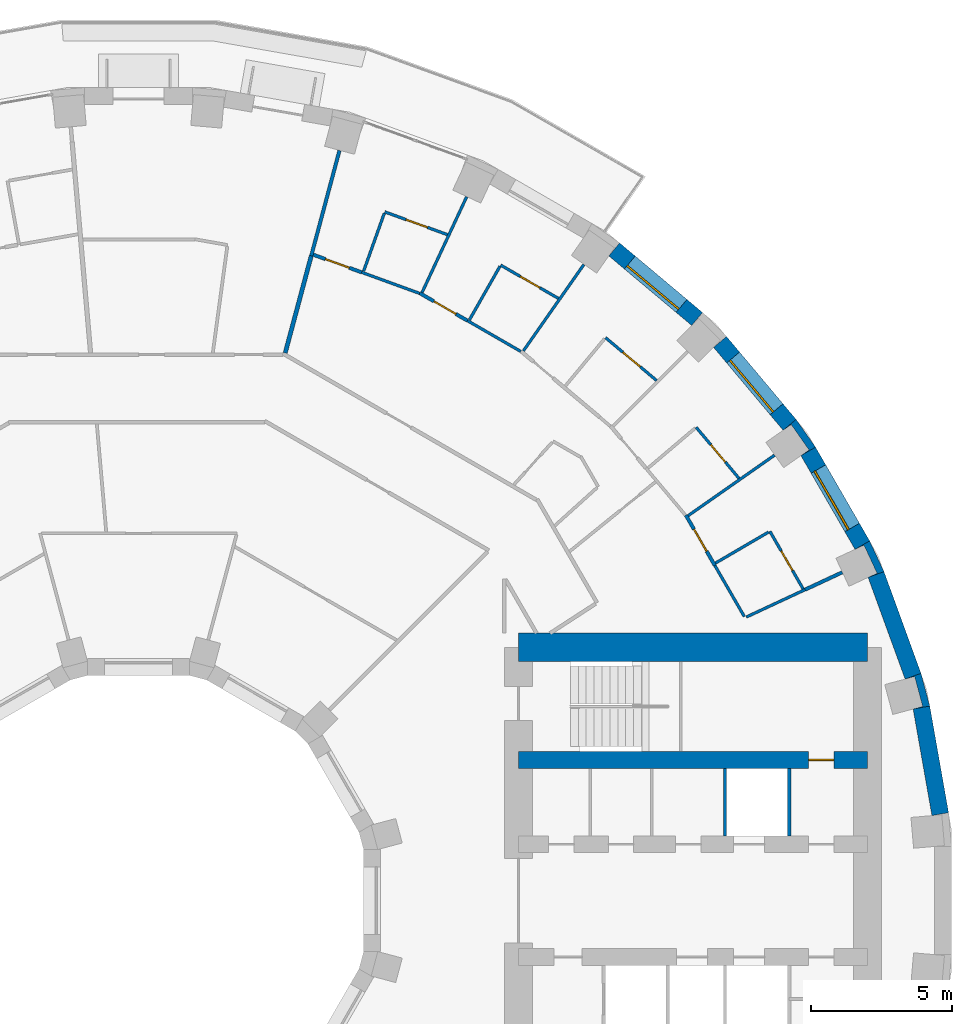
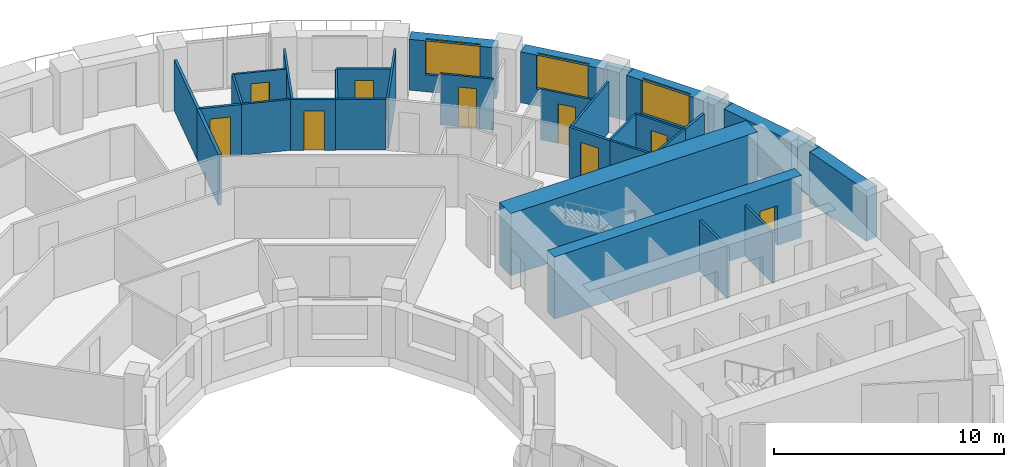
# One storey, part 13 of 15: 33 walls, 9 doors, 3 windows, 12 openings.
"""IFC4 building model written with IfcOpenShell, lengths in metres."""

from ifc_helpers import new_model, si_unit, direction, frame, frame_2d, origin, place, context, subcontext, project, spatial, polyline, rectangle, outline, extrude, material, layer, layer_set, type_object, element, fill, save


model = new_model("IFC4")

# Units and contexts
model_context = context("Model", 3, precision=1e-05, world=origin(), true_north=direction((0.0, 1.0)))
body_context = subcontext(model_context, "Body", "Model", "MODEL_VIEW")
ifc_project = project(units=[si_unit("LENGTHUNIT", "METRE"), si_unit("AREAUNIT", "SQUARE_METRE"), si_unit("VOLUMEUNIT", "CUBIC_METRE"), si_unit("PLANEANGLEUNIT", "RADIAN"), si_unit("MASSUNIT", "GRAM", prefix="KILO")], contexts=[model_context])

# Site, building, storey
site_placement = place(None, origin())
site = spatial("IfcSite", under=ifc_project, at=site_placement, CompositionType="ELEMENT")
building_placement = place(site_placement, origin())
building = spatial("IfcBuilding", under=site, at=building_placement, Name="Saqina Gate Tower", CompositionType="ELEMENT")
storey_placement = place(building_placement, frame((0.0, 0.0, 79.10009765625)))
storey = spatial("IfcBuildingStorey", under=building, at=storey_placement, Name="L22", CompositionType="ELEMENT", Elevation=79.10009765625)

# Walls
ifc_material_1 = material(Name="Brick masonry (red)", Category="masonry")
wall_type_1 = type_object("IfcWallType", Name="BRICK PIER COPING RED", PredefinedType="SOLIDWALL", material=ifc_material_1)
wall_1_placement = place(storey_placement, origin())
element("IfcWall", 1, at=wall_1_placement, inside=storey, type_object=wall_type_1, Name="Pier cap L22 column 2", PredefinedType="SOLIDWALL", context=body_context, shape_type="SweptSolid", body=[
    extrude(outline(polyline([(28.11669921875, 6.910400390625), (27.80517578125, 8.073974609375), (27.2412109375, 7.86865234375), (27.57958984375, 7.95947265625), (27.864501953125, 6.896728515625), (27.52587890625, 6.80615234375), (28.11669921875, 6.910400390625)])), origin(), (0.0, 0.0, 1.0), 2.699951171875),
])
wall_2_placement = place(storey_placement, origin())
element("IfcWall", 2, at=wall_2_placement, inside=storey, type_object=wall_type_1, Name="Pier cap L22 column 3", PredefinedType="SOLIDWALL", context=body_context, shape_type="SweptSolid", body=[
    extrude(outline(polyline([(25.980712890625, 12.779541015625), (25.4609375, 12.4794921875), (25.778564453125, 12.627685546875), (26.243408203125, 11.630615234375), (25.92578125, 11.482666015625), (26.48974609375, 11.687744140625), (25.980712890625, 12.779541015625)])), origin(), (0.0, 0.0, 1.0), 2.699951171875),
])
wall_3_placement = place(storey_placement, origin())
element("IfcWall", 3, at=wall_3_placement, inside=storey, type_object=wall_type_1, Name="Pier cap L22 column 4", PredefinedType="SOLIDWALL", context=body_context, shape_type="SweptSolid", body=[
    extrude(outline(polyline([(24.0576171875, 16.110107421875), (23.36669921875, 17.096923828125), (22.9072265625, 16.711181640625), (23.194091796875, 16.912109375), (23.8251953125, 16.010986328125), (23.5380859375, 15.81005859375), (24.0576171875, 16.110107421875)])), origin(), (0.0, 0.0, 1.0), 2.699951171875),
])

# Wall, opening, window
ifc_material_2 = material(Name="Brick masonry (red)", Category="masonry")
ifc_layer_1 = layer(ifc_material_2, 0.60009765625)
ifc_layer_set_1 = layer_set([ifc_layer_1], Name="FW-BRICK-RED")
wall_type_2 = type_object("IfcWallType", Name="FW-BRICK-RED", PredefinedType="SOLIDWALL", material=ifc_layer_set_1)
wall_4_placement = place(storey_placement, frame((25.720703125, 12.629638671875, 0.0), z_axis=(0.0, 0.0, 1.0), x_axis=(-0.499989888488, 0.86603124159, 0.0)))
wall_4 = element("IfcWall", 4, at=wall_4_placement, inside=storey, type_object=wall_type_2, Name="Facade wall L22 facet 3", PredefinedType="SOLIDWALL", context=body_context, shape_type="SweptSolid", body=[
    extrude(rectangle(XDim=3.845703125, YDim=0.60009765625, at=frame_2d((1.9228515625, 0.0))), origin(), (0.0, 0.0, 1.0), 2.699951171875),
])
opening_1_placement = place(wall_4_placement, frame((0.722900390625, 0.0, 0.89990234375)))
opening_1 = element("IfcOpeningElement", 5, at=opening_1_placement, cuts=wall_4, Name="Opening G06-W01", PredefinedType="OPENING", context=body_context, shape_type="SweptSolid", body=[
    extrude(rectangle(XDim=2.39990234375, YDim=1.800048828125, at=frame_2d((1.199951171875, 0.89990234375))), frame((0.0, 0.31201171875, 0.0), z_axis=(0.0, -1.0, 0.0), x_axis=(1.0, 0.0, 0.0)), (0.0, 0.0, 1.0), 0.6240234375),
])
ifc_material_3 = material(Name="Aluminium glazing", Category="aluminium")
window_type = type_object("IfcWindowType", Name="WN-A", PartitioningType="SINGLE_PANEL", PredefinedType="WINDOW", material=ifc_material_3)
window_1_placement = place(opening_1_placement, origin())
window_1 = element("IfcWindow", 6, at=window_1_placement, inside=storey, type_object=window_type, Name="Window L22 facet 3", OverallHeight=1.800048828125, OverallWidth=2.39990234375, PartitioningType="SINGLE_PANEL", PredefinedType="WINDOW", context=body_context, shape_type="SweptSolid", body=[
    extrude(rectangle(XDim=2.39990234375, YDim=1.800048828125, at=frame_2d((1.199951171875, 0.89990234375))), frame((0.0, 0.179931640625, 0.0), z_axis=(0.0, -1.0, 0.0), x_axis=(1.0, 0.0, 0.0)), (0.0, 0.0, 1.0), 0.06005859375),
])
fill(opening_1, window_1)

wall_5_placement = place(storey_placement, frame((23.136962890625, 16.904052734375, 0.0), z_axis=(0.0, 0.0, 1.0), x_axis=(-0.642809392687, 0.766026164483, 0.0)))
wall_5 = element("IfcWall", 7, at=wall_5_placement, inside=storey, type_object=wall_type_2, Name="Facade wall L22 facet 4", PredefinedType="SOLIDWALL", context=body_context, shape_type="SweptSolid", body=[
    extrude(rectangle(XDim=3.845947265625, YDim=0.60009765625, at=frame_2d((1.9228515625, 0.0))), origin(), (0.0, 0.0, 1.0), 2.699951171875),
])
opening_2_placement = place(wall_5_placement, frame((0.722900390625, 0.0, 0.89990234375)))
opening_2 = element("IfcOpeningElement", 8, at=opening_2_placement, cuts=wall_5, Name="Opening G06-W02", PredefinedType="OPENING", context=body_context, shape_type="SweptSolid", body=[
    extrude(rectangle(XDim=2.39990234375, YDim=1.800048828125, at=frame_2d((1.199951171875, 0.89990234375))), frame((0.0, 0.31201171875, 0.0), z_axis=(0.0, -1.0, 0.0), x_axis=(1.0, 0.0, 0.0)), (0.0, 0.0, 1.0), 0.6240234375),
])
window_2_placement = place(opening_2_placement, origin())
window_2 = element("IfcWindow", 9, at=window_2_placement, inside=storey, type_object=window_type, Name="Window L22 facet 4", OverallHeight=1.800048828125, OverallWidth=2.39990234375, PartitioningType="SINGLE_PANEL", PredefinedType="WINDOW", context=body_context, shape_type="SweptSolid", body=[
    extrude(rectangle(XDim=2.39990234375, YDim=1.800048828125, at=frame_2d((1.199951171875, 0.89990234375))), frame((0.0, 0.179931640625, 0.0), z_axis=(0.0, -1.0, 0.0), x_axis=(1.0, 0.0, 0.0)), (0.0, 0.0, 1.0), 0.06005859375),
])
fill(opening_2, window_2)

wall_6_placement = place(storey_placement, frame((19.85009765625, 20.664794921875, 0.0), z_axis=(0.0, 0.0, 1.0), x_axis=(-0.766026164483, 0.642809392687, 0.0)))
wall_6 = element("IfcWall", 10, at=wall_6_placement, inside=storey, type_object=wall_type_2, Name="Facade wall L22 facet 5", PredefinedType="SOLIDWALL", context=body_context, shape_type="SweptSolid", body=[
    extrude(rectangle(XDim=3.845947265625, YDim=0.60009765625, at=frame_2d((1.9228515625, 0.0))), origin(), (0.0, 0.0, 1.0), 2.699951171875),
])
opening_3_placement = place(wall_6_placement, frame((0.722900390625, 0.0, 0.89990234375)))
opening_3 = element("IfcOpeningElement", 11, at=opening_3_placement, cuts=wall_6, Name="Opening G06-W03", PredefinedType="OPENING", context=body_context, shape_type="SweptSolid", body=[
    extrude(rectangle(XDim=2.39990234375, YDim=1.800048828125, at=frame_2d((1.199951171875, 0.89990234375))), frame((0.0, 0.31201171875, 0.0), z_axis=(0.0, -1.0, 0.0), x_axis=(1.0, 0.0, 0.0)), (0.0, 0.0, 1.0), 0.6240234375),
])
window_3_placement = place(opening_3_placement, origin())
window_3 = element("IfcWindow", 12, at=window_3_placement, inside=storey, type_object=window_type, Name="Window L22 facet 5", OverallHeight=1.800048828125, OverallWidth=2.39990234375, PartitioningType="SINGLE_PANEL", PredefinedType="WINDOW", context=body_context, shape_type="SweptSolid", body=[
    extrude(rectangle(XDim=2.39990234375, YDim=1.800048828125, at=frame_2d((1.199951171875, 0.89990234375))), frame((0.0, 0.179931640625, 0.0), z_axis=(0.0, -1.0, 0.0), x_axis=(1.0, 0.0, 0.0)), (0.0, 0.0, 1.0), 0.06005859375),
])
fill(opening_3, window_3)

# Walls
ifc_material_4 = material(Name="Glazed ceramic tile", Category="ceramic")
ifc_layer_2 = layer(ifc_material_4, 0.60009765625)
ifc_layer_set_2 = layer_set([ifc_layer_2], Name="FW-TILE")
wall_type_3 = type_object("IfcWallType", Name="FW-TILE", PredefinedType="SOLIDWALL", material=ifc_layer_set_2)
wall_7_placement = place(storey_placement, frame((28.4892578125, 3.07080078125, 0.0), z_axis=(0.0, 0.0, 1.0), x_axis=(-0.173687553279, 0.984800809218, 0.0)))
element("IfcWall", 13, at=wall_7_placement, inside=storey, type_object=wall_type_3, Name="Facade wall L22 facet 1", PredefinedType="SOLIDWALL", context=body_context, shape_type="SweptSolid", body=[
    extrude(rectangle(XDim=3.845703125, YDim=0.60009765625, at=frame_2d((1.9228515625, 0.0))), origin(), (0.0, 0.0, 1.0), 2.699951171875),
])
ifc_material_5 = material(Name="Glazed ceramic tile (white)", Category="ceramic")
ifc_layer_3 = layer(ifc_material_5, 0.60009765625)
ifc_layer_set_3 = layer_set([ifc_layer_3], Name="FW-TILE-WH")
wall_type_4 = type_object("IfcWallType", Name="FW-TILE-WH", PredefinedType="SOLIDWALL", material=ifc_layer_set_3)
wall_8_placement = place(storey_placement, frame((27.523193359375, 7.97119140625, 0.0), z_axis=(0.0, 0.0, 1.0), x_axis=(-0.342028474173, 0.939689588564, 0.0)))
element("IfcWall", 14, at=wall_8_placement, inside=storey, type_object=wall_type_4, Name="Facade wall L22 facet 2", PredefinedType="SOLIDWALL", context=body_context, shape_type="SweptSolid", body=[
    extrude(rectangle(XDim=3.845947265625, YDim=0.60009765625, at=frame_2d((1.9228515625, 0.0))), origin(), (0.0, 0.0, 1.0), 2.699951171875),
])
ifc_material_6 = material(Name="Gypsum board on steel studs, 100 mm", Category="steel")
ifc_layer_4 = layer(ifc_material_6, 0.10009765625)
ifc_layer_set_4 = layer_set([ifc_layer_4], Name="PARTITION 100")
wall_type_5 = type_object("IfcWallType", Name="PARTITION 100", PredefinedType="PARTITIONING", material=ifc_layer_set_4)
wall_9_placement = place(storey_placement, frame((20.480224609375, 11.90576171875, 0.0), z_axis=(0.0, 0.0, 1.0), x_axis=(0.500153222552, -0.865936922628, 0.0)))
element("IfcWall", 15, at=wall_9_placement, inside=storey, type_object=wall_type_5, Name="PARTITION PW3-23", PredefinedType="PARTITIONING", context=body_context, shape_type="SweptSolid", body=[
    extrude(rectangle(XDim=2.093017578125, YDim=0.10009765625, at=frame_2d((1.04638671875, 0.0))), origin(), (0.0, 0.0, 1.0), 2.699951171875),
])

# Wall, opening, door
wall_10_placement = place(storey_placement, frame((22.43505859375, 13.12109375, 0.0), z_axis=(0.0, 0.0, 1.0), x_axis=(0.500121220083, -0.865955406025, 0.0)))
wall_10 = element("IfcWall", 16, at=wall_10_placement, inside=storey, type_object=wall_type_5, Name="PARTITION PW3-24", PredefinedType="PARTITIONING", context=body_context, shape_type="SweptSolid", body=[
    extrude(rectangle(XDim=2.3671875, YDim=0.10009765625, at=frame_2d((1.18359375, 0.0))), origin(), (0.0, 0.0, 1.0), 2.699951171875),
])
opening_4_placement = place(wall_10_placement, frame((0.809814453125, 0.0, 0.0)))
opening_4 = element("IfcOpeningElement", 17, at=opening_4_placement, cuts=wall_10, Name="Opening G06-D01", PredefinedType="OPENING", context=body_context, shape_type="SweptSolid", body=[
    extrude(rectangle(XDim=0.800048828125, YDim=2.10009765625, at=frame_2d((0.39990234375, 1.050048828125))), frame((0.0, 0.06201171875, 0.0), z_axis=(0.0, -1.0, 0.0), x_axis=(1.0, 0.0, 0.0)), (0.0, 0.0, 1.0), 0.1240234375),
])
ifc_material_7 = material(Name="Timber door leaf, 800 mm", Category="wood")
door_type_1 = type_object("IfcDoorType", Name="DOOR 800 TIMBER", OperationType="SINGLE_SWING_LEFT", PredefinedType="DOOR", material=ifc_material_7)
door_1_placement = place(opening_4_placement, origin())
door_1 = element("IfcDoor", 18, at=door_1_placement, inside=storey, type_object=door_type_1, Name="DOOR G06-D01", OperationType="SINGLE_SWING_RIGHT", OverallHeight=2.10009765625, OverallWidth=0.800048828125, PredefinedType="DOOR", context=body_context, shape_type="SweptSolid", body=[
    extrude(rectangle(XDim=0.800048828125, YDim=2.10009765625, at=frame_2d((0.39990234375, 1.050048828125))), frame((0.0, 0.02490234375, 0.0), z_axis=(0.0, -1.0, 0.0), x_axis=(1.0, 0.0, 0.0)), (0.0, 0.0, 1.0), 0.050048828125),
])
fill(opening_4, door_1)

wall_11_placement = place(storey_placement, frame((19.81591796875, 16.81689453125, 0.0), z_axis=(0.0, 0.0, 1.0), x_axis=(0.642846415365, -0.765995095449, 0.0)))
wall_11 = element("IfcWall", 19, at=wall_11_placement, inside=storey, type_object=wall_type_5, Name="PARTITION PW3-32", PredefinedType="PARTITIONING", context=body_context, shape_type="SweptSolid", body=[
    extrude(rectangle(XDim=2.369140625, YDim=0.10009765625, at=frame_2d((1.1845703125, 0.0))), origin(), (0.0, 0.0, 1.0), 2.699951171875),
])
opening_5_placement = place(wall_11_placement, frame((0.8095703125, 0.0, 0.0)))
opening_5 = element("IfcOpeningElement", 20, at=opening_5_placement, cuts=wall_11, Name="Opening G06-D03", PredefinedType="OPENING", context=body_context, shape_type="SweptSolid", body=[
    extrude(rectangle(XDim=0.800048828125, YDim=2.10009765625, at=frame_2d((0.39990234375, 1.050048828125))), frame((0.0, 0.06201171875, 0.0), z_axis=(0.0, -1.0, 0.0), x_axis=(1.0, 0.0, 0.0)), (0.0, 0.0, 1.0), 0.1240234375),
])
door_2_placement = place(opening_5_placement, origin())
door_2 = element("IfcDoor", 21, at=door_2_placement, inside=storey, type_object=door_type_1, Name="DOOR G06-D03", OperationType="SINGLE_SWING_RIGHT", OverallHeight=2.10009765625, OverallWidth=0.800048828125, PredefinedType="DOOR", context=body_context, shape_type="SweptSolid", body=[
    extrude(rectangle(XDim=0.800048828125, YDim=2.10009765625, at=frame_2d((0.39990234375, 1.050048828125))), frame((0.0, 0.02490234375, 0.0), z_axis=(0.0, -1.0, 0.0), x_axis=(1.0, 0.0, 0.0)), (0.0, 0.0, 1.0), 0.050048828125),
])
fill(opening_5, door_2)

wall_12_placement = place(storey_placement, frame((16.593994140625, 20.0029296875, 0.0), z_axis=(0.0, 0.0, 1.0), x_axis=(0.766216087927, -0.642582995886, 0.0)))
wall_12 = element("IfcWall", 22, at=wall_12_placement, inside=storey, type_object=wall_type_5, Name="PARTITION PW3-37", PredefinedType="PARTITIONING", context=body_context, shape_type="SweptSolid", body=[
    extrude(rectangle(XDim=2.36962890625, YDim=0.10009765625, at=frame_2d((1.184814453125, 0.0))), origin(), (0.0, 0.0, 1.0), 2.699951171875),
])
opening_6_placement = place(wall_12_placement, frame((0.809814453125, 0.0, 0.0)))
opening_6 = element("IfcOpeningElement", 23, at=opening_6_placement, cuts=wall_12, Name="Opening G06-D06", PredefinedType="OPENING", context=body_context, shape_type="SweptSolid", body=[
    extrude(rectangle(XDim=0.800048828125, YDim=2.10009765625, at=frame_2d((0.39990234375, 1.050048828125))), frame((0.0, 0.06201171875, 0.0), z_axis=(0.0, -1.0, 0.0), x_axis=(1.0, 0.0, 0.0)), (0.0, 0.0, 1.0), 0.1240234375),
])
door_3_placement = place(opening_6_placement, origin())
door_3 = element("IfcDoor", 24, at=door_3_placement, inside=storey, type_object=door_type_1, Name="DOOR G06-D06", OperationType="SINGLE_SWING_RIGHT", OverallHeight=2.10009765625, OverallWidth=0.800048828125, PredefinedType="DOOR", context=body_context, shape_type="SweptSolid", body=[
    extrude(rectangle(XDim=0.800048828125, YDim=2.10009765625, at=frame_2d((0.39990234375, 1.050048828125))), frame((0.0, 0.02490234375, 0.0), z_axis=(0.0, -1.0, 0.0), x_axis=(1.0, 0.0, 0.0)), (0.0, 0.0, 1.0), 0.050048828125),
])
fill(opening_6, door_3)

# Wall
wall_13_placement = place(storey_placement, frame((11.686767578125, 20.60693359375, 0.0), z_axis=(0.0, 0.0, 1.0), x_axis=(0.866180024749, -0.499732092952, 0.0)))
element("IfcWall", 25, at=wall_13_placement, inside=storey, type_object=wall_type_5, Name="PARTITION PW3-45", PredefinedType="PARTITIONING", context=body_context, shape_type="SweptSolid", body=[
    extrude(rectangle(XDim=2.192626953125, YDim=0.10009765625, at=frame_2d((1.09619140625, 0.0))), origin(), (0.0, 0.0, 1.0), 2.699951171875),
])

# Wall, opening, door
wall_14_placement = place(storey_placement, frame((12.868896484375, 22.580078125, 0.0), z_axis=(0.0, 0.0, 1.0), x_axis=(0.866116947413, -0.499841408252, 0.0)))
wall_14 = element("IfcWall", 26, at=wall_14_placement, inside=storey, type_object=wall_type_5, Name="PARTITION PW3-46", PredefinedType="PARTITIONING", context=body_context, shape_type="SweptSolid", body=[
    extrude(rectangle(XDim=2.368896484375, YDim=0.10009765625, at=frame_2d((1.1845703125, 0.0))), origin(), (0.0, 0.0, 1.0), 2.699951171875),
])
opening_7_placement = place(wall_14_placement, frame((0.809326171875, 0.0, 0.0)))
opening_7 = element("IfcOpeningElement", 27, at=opening_7_placement, cuts=wall_14, Name="Opening G06-D09", PredefinedType="OPENING", context=body_context, shape_type="SweptSolid", body=[
    extrude(rectangle(XDim=0.800048828125, YDim=2.10009765625, at=frame_2d((0.39990234375, 1.050048828125))), frame((0.0, 0.06201171875, 0.0), z_axis=(0.0, -1.0, 0.0), x_axis=(1.0, 0.0, 0.0)), (0.0, 0.0, 1.0), 0.1240234375),
])
door_4_placement = place(opening_7_placement, origin())
door_4 = element("IfcDoor", 28, at=door_4_placement, inside=storey, type_object=door_type_1, Name="DOOR G06-D09", OperationType="SINGLE_SWING_RIGHT", OverallHeight=2.10009765625, OverallWidth=0.800048828125, PredefinedType="DOOR", context=body_context, shape_type="SweptSolid", body=[
    extrude(rectangle(XDim=0.800048828125, YDim=2.10009765625, at=frame_2d((0.39990234375, 1.050048828125))), frame((0.0, 0.02490234375, 0.0), z_axis=(0.0, -1.0, 0.0), x_axis=(1.0, 0.0, 0.0)), (0.0, 0.0, 1.0), 0.050048828125),
])
fill(opening_7, door_4)

# Wall
wall_15_placement = place(storey_placement, frame((7.930908203125, 22.322998046875, 0.0), z_axis=(0.0, 0.0, 1.0), x_axis=(0.939747896663, -0.3418682359, 0.0)))
element("IfcWall", 29, at=wall_15_placement, inside=storey, type_object=wall_type_5, Name="PARTITION PW3-51", PredefinedType="PARTITIONING", context=body_context, shape_type="SweptSolid", body=[
    extrude(rectangle(XDim=2.1923828125, YDim=0.10009765625, at=frame_2d((1.09619140625, 0.0))), origin(), (0.0, 0.0, 1.0), 2.699951171875),
])

# Wall, opening, door
wall_16_placement = place(storey_placement, frame((8.751953125, 24.471923828125, 0.0), z_axis=(0.0, 0.0, 1.0), x_axis=(0.939784398176, -0.341767881674, 0.0)))
wall_16 = element("IfcWall", 30, at=wall_16_placement, inside=storey, type_object=wall_type_5, Name="PARTITION PW3-52", PredefinedType="PARTITIONING", context=body_context, shape_type="SweptSolid", body=[
    extrude(rectangle(XDim=2.369384765625, YDim=0.10009765625, at=frame_2d((1.1845703125, 0.0))), origin(), (0.0, 0.0, 1.0), 2.699951171875),
])
opening_8_placement = place(wall_16_placement, frame((0.809814453125, 0.0, 0.0)))
opening_8 = element("IfcOpeningElement", 31, at=opening_8_placement, cuts=wall_16, Name="Opening G06-D14", PredefinedType="OPENING", context=body_context, shape_type="SweptSolid", body=[
    extrude(rectangle(XDim=0.800048828125, YDim=2.10009765625, at=frame_2d((0.39990234375, 1.050048828125))), frame((0.0, 0.06201171875, 0.0), z_axis=(0.0, -1.0, 0.0), x_axis=(1.0, 0.0, 0.0)), (0.0, 0.0, 1.0), 0.1240234375),
])
door_5_placement = place(opening_8_placement, origin())
door_5 = element("IfcDoor", 32, at=door_5_placement, inside=storey, type_object=door_type_1, Name="DOOR G06-D14", OperationType="SINGLE_SWING_RIGHT", OverallHeight=2.10009765625, OverallWidth=0.800048828125, PredefinedType="DOOR", context=body_context, shape_type="SweptSolid", body=[
    extrude(rectangle(XDim=0.800048828125, YDim=2.10009765625, at=frame_2d((0.39990234375, 1.050048828125))), frame((0.0, 0.02490234375, 0.0), z_axis=(0.0, -1.0, 0.0), x_axis=(1.0, 0.0, 0.0)), (0.0, 0.0, 1.0), 0.050048828125),
])
fill(opening_8, door_5)

# Walls
wall_17_placement = place(storey_placement, frame((21.596435546875, 10.0732421875, 0.0), z_axis=(0.0, 0.0, 1.0), x_axis=(0.906315450742, 0.422601826483, 0.0)))
element("IfcWall", 33, at=wall_17_placement, inside=storey, type_object=wall_type_5, Name="PARTITION PW3-72", PredefinedType="PARTITIONING", context=body_context, shape_type="SweptSolid", body=[
    extrude(rectangle(XDim=2.30908203125, YDim=0.10009765625, at=frame_2d((1.154541015625, 0.0))), origin(), (0.0, 0.0, 1.0), 2.699951171875),
])
wall_18_placement = place(storey_placement, frame((20.5029296875, 11.991455078125, 0.0), z_axis=(0.0, 0.0, 1.0), x_axis=(0.863305021383, 0.504682514116, 0.0)))
element("IfcWall", 34, at=wall_18_placement, inside=storey, type_object=wall_type_5, Name="PARTITION PW3-83", PredefinedType="PARTITIONING", context=body_context, shape_type="SweptSolid", body=[
    extrude(rectangle(XDim=2.18798828125, YDim=0.10009765625, at=frame_2d((1.093994140625, 0.0))), origin(), (0.0, 0.0, 1.0), 2.699951171875),
])
for number, where, z_axis, x_axis, name in (
    (35, (19.53125, 13.67578125, 0.0), (0.0, 0.0, 1.0), (0.819152325028, 0.573576035414, 0.0), "PARTITION PW3-85"),
    (36, (13.67578125, 19.53125, 0.0), (0.0, 0.0, 1.0), (0.573576035414, 0.819152325028, 0.0), "PARTITION PW3-102"),
):
    element("IfcWall", number, at=place(storey_placement, frame(where, z_axis=z_axis, x_axis=x_axis)), inside=storey, type_object=wall_type_5, Name=name, PredefinedType="PARTITIONING", context=body_context, shape_type="SweptSolid", body=[
        extrude(rectangle(XDim=3.7470703125, YDim=0.10009765625, at=frame_2d((1.87353515625, 0.0))), origin(), (0.0, 0.0, 1.0), 2.699951171875),
    ])
wall_19_placement = place(storey_placement, frame((11.760986328125, 20.63623046875, 0.0), z_axis=(0.0, 0.0, 1.0), x_axis=(0.495213152806, 0.868771508101, 0.0)))
element("IfcWall", 37, at=wall_19_placement, inside=storey, type_object=wall_type_5, Name="PARTITION PW3-105", PredefinedType="PARTITIONING", context=body_context, shape_type="SweptSolid", body=[
    extrude(rectangle(XDim=2.1875, YDim=0.10009765625, at=frame_2d((1.09375, 0.0))), origin(), (0.0, 0.0, 1.0), 2.699951171875),
])
wall_20_placement = place(storey_placement, frame((10.0771484375, 21.6083984375, 0.0), z_axis=(0.0, 0.0, 1.0), x_axis=(0.422311144858, 0.906450934651, 0.0)))
element("IfcWall", 38, at=wall_20_placement, inside=storey, type_object=wall_type_5, Name="PARTITION PW3-106", PredefinedType="PARTITIONING", context=body_context, shape_type="SweptSolid", body=[
    extrude(rectangle(XDim=3.747314453125, YDim=0.10009765625, at=frame_2d((1.87353515625, 0.0))), origin(), (0.0, 0.0, 1.0), 2.699951171875),
])
wall_21_placement = place(storey_placement, frame((7.9990234375, 22.36474609375, 0.0), z_axis=(0.0, 0.0, 1.0), x_axis=(0.336477788464, 0.941691402674, 0.0)))
element("IfcWall", 39, at=wall_21_placement, inside=storey, type_object=wall_type_5, Name="PARTITION PW3-109", PredefinedType="PARTITIONING", context=body_context, shape_type="SweptSolid", body=[
    extrude(rectangle(XDim=2.1875, YDim=0.10009765625, at=frame_2d((1.09375, 0.0))), origin(), (0.0, 0.0, 1.0), 2.699951171875),
])

# Wall, opening, door
ifc_material_8 = material(Name="Gypsum board on steel studs, 125 mm, fire rated", Category="steel")
ifc_layer_5 = layer(ifc_material_8, 0.125)
ifc_layer_set_5 = layer_set([ifc_layer_5], Name="PARTITION EI 30 125")
wall_type_6 = type_object("IfcWallType", Name="PARTITION EI 30 125", PredefinedType="PARTITIONING", material=ifc_layer_set_5)
wall_22_placement = place(storey_placement, frame((19.44921875, 13.69580078125, 0.0), z_axis=(0.0, 0.0, 1.0), x_axis=(0.499101616471, -0.866543464828, 0.0)))
wall_22 = element("IfcWall", 40, at=wall_22_placement, inside=storey, type_object=wall_type_6, Name="PARTITION PW1-04", PredefinedType="PARTITIONING", context=body_context, shape_type="SweptSolid", body=[
    extrude(rectangle(XDim=2.065673828125, YDim=0.125, at=frame_2d((1.03271484375, 0.0))), origin(), (0.0, 0.0, 1.0), 2.699951171875),
])
opening_9_placement = place(wall_22_placement, frame((0.58349609375, 0.0, 0.0)))
opening_9 = element("IfcOpeningElement", 41, at=opening_9_placement, cuts=wall_22, Name="Opening G06-D02", PredefinedType="OPENING", context=body_context, shape_type="SweptSolid", body=[
    extrude(rectangle(XDim=0.89990234375, YDim=2.10009765625, at=frame_2d((0.449951171875, 1.050048828125))), frame((0.0, 0.074462890625, 0.0), z_axis=(0.0, -1.0, 0.0), x_axis=(1.0, 0.0, 0.0)), (0.0, 0.0, 1.0), 0.14892578125),
])
ifc_material_9 = material(Name="Fire door leaf EI 30, 900 mm")
door_type_2 = type_object("IfcDoorType", Name="DOOR 900 EI 30", OperationType="SINGLE_SWING_LEFT", PredefinedType="DOOR", material=ifc_material_9)
door_6_placement = place(opening_9_placement, frame((0.89990234375, 0.0, 0.0), z_axis=(0.0, 0.0, 1.0), x_axis=(-1.0, 0.0, 0.0)))
door_6 = element("IfcDoor", 42, at=door_6_placement, inside=storey, type_object=door_type_2, Name="DOOR G06-D02", OperationType="SINGLE_SWING_RIGHT", OverallHeight=2.10009765625, OverallWidth=0.89990234375, PredefinedType="DOOR", context=body_context, shape_type="SweptSolid", body=[
    extrude(rectangle(XDim=0.89990234375, YDim=2.10009765625, at=frame_2d((0.449951171875, 1.050048828125))), frame((0.0, 0.02490234375, 0.0), z_axis=(0.0, -1.0, 0.0), x_axis=(1.0, 0.0, 0.0)), (0.0, 0.0, 1.0), 0.050048828125),
])
fill(opening_9, door_6)

wall_23_placement = place(storey_placement, frame((9.9951171875, 21.583740234375, 0.0), z_axis=(0.0, 0.0, 1.0), x_axis=(0.865996179119, -0.50005061519, 0.0)))
wall_23 = element("IfcWall", 43, at=wall_23_placement, inside=storey, type_object=wall_type_6, Name="PARTITION PW1-26", PredefinedType="PARTITIONING", context=body_context, shape_type="SweptSolid", body=[
    extrude(rectangle(XDim=1.953369140625, YDim=0.125, at=frame_2d((0.9765625, 0.0))), origin(), (0.0, 0.0, 1.0), 2.699951171875),
])
opening_10_placement = place(wall_23_placement, frame((0.58349609375, 0.0, 0.0)))
opening_10 = element("IfcOpeningElement", 44, at=opening_10_placement, cuts=wall_23, Name="Opening G06-D13", PredefinedType="OPENING", context=body_context, shape_type="SweptSolid", body=[
    extrude(rectangle(XDim=0.89990234375, YDim=2.10009765625, at=frame_2d((0.449951171875, 1.050048828125))), frame((0.0, 0.074462890625, 0.0), z_axis=(0.0, -1.0, 0.0), x_axis=(1.0, 0.0, 0.0)), (0.0, 0.0, 1.0), 0.14892578125),
])
door_7_placement = place(opening_10_placement, frame((0.89990234375, 0.0, 0.0), z_axis=(0.0, 0.0, 1.0), x_axis=(-1.0, 0.0, 0.0)))
door_7 = element("IfcDoor", 45, at=door_7_placement, inside=storey, type_object=door_type_2, Name="DOOR G06-D13", OperationType="SINGLE_SWING_RIGHT", OverallHeight=2.10009765625, OverallWidth=0.89990234375, PredefinedType="DOOR", context=body_context, shape_type="SweptSolid", body=[
    extrude(rectangle(XDim=0.89990234375, YDim=2.10009765625, at=frame_2d((0.449951171875, 1.050048828125))), frame((0.0, 0.02490234375, 0.0), z_axis=(0.0, -1.0, 0.0), x_axis=(1.0, 0.0, 0.0)), (0.0, 0.0, 1.0), 0.050048828125),
])
fill(opening_10, door_7)

wall_24_placement = place(storey_placement, frame((6.213623046875, 22.94873046875, 0.0), z_axis=(0.0, 0.0, 1.0), x_axis=(0.939570923622, -0.34235431863, 0.0)))
wall_24 = element("IfcWall", 46, at=wall_24_placement, inside=storey, type_object=wall_type_6, Name="PARTITION PW1-28", PredefinedType="PARTITIONING", context=body_context, shape_type="SweptSolid", body=[
    extrude(rectangle(XDim=1.82763671875, YDim=0.125, at=frame_2d((0.913818359375, 0.0))), origin(), (0.0, 0.0, 1.0), 2.699951171875),
])
opening_11_placement = place(wall_24_placement, frame((0.45751953125, 0.0, 0.0)))
opening_11 = element("IfcOpeningElement", 47, at=opening_11_placement, cuts=wall_24, Name="Opening G06-D15", PredefinedType="OPENING", context=body_context, shape_type="SweptSolid", body=[
    extrude(rectangle(XDim=0.89990234375, YDim=2.10009765625, at=frame_2d((0.449951171875, 1.050048828125))), frame((0.0, 0.074462890625, 0.0), z_axis=(0.0, -1.0, 0.0), x_axis=(1.0, 0.0, 0.0)), (0.0, 0.0, 1.0), 0.14892578125),
])
door_8_placement = place(opening_11_placement, frame((0.89990234375, 0.0, 0.0), z_axis=(0.0, 0.0, 1.0), x_axis=(-1.0, 0.0, 0.0)))
door_8 = element("IfcDoor", 48, at=door_8_placement, inside=storey, type_object=door_type_2, Name="DOOR G06-D15", OperationType="SINGLE_SWING_RIGHT", OverallHeight=2.10009765625, OverallWidth=0.89990234375, PredefinedType="DOOR", context=body_context, shape_type="SweptSolid", body=[
    extrude(rectangle(XDim=0.89990234375, YDim=2.10009765625, at=frame_2d((0.449951171875, 1.050048828125))), frame((0.0, 0.02490234375, 0.0), z_axis=(0.0, -1.0, 0.0), x_axis=(1.0, 0.0, 0.0)), (0.0, 0.0, 1.0), 0.050048828125),
])
fill(opening_11, door_8)

# Walls
wall_25_placement = place(storey_placement, frame((23.689208984375, 11.049072265625, 0.0), z_axis=(0.0, 0.0, 1.0), x_axis=(0.906406580268, 0.422406334288, 0.0)))
element("IfcWall", 49, at=wall_25_placement, inside=storey, type_object=wall_type_6, Name="PARTITION PW1-41", PredefinedType="PARTITIONING", context=body_context, shape_type="SweptSolid", body=[
    extrude(rectangle(XDim=1.45068359375, YDim=0.125, at=frame_2d((0.725341796875, 0.0))), origin(), (0.0, 0.0, 1.0), 2.699951171875),
])
wall_26_placement = place(storey_placement, frame((6.138916015625, 22.90966796875, 0.0), z_axis=(0.0, 0.0, 1.0), x_axis=(0.258761298032, 0.96594129772, 0.0)))
element("IfcWall", 50, at=wall_26_placement, inside=storey, type_object=wall_type_6, Name="PARTITION PW1-59", PredefinedType="PARTITIONING", context=body_context, shape_type="SweptSolid", body=[
    extrude(rectangle(XDim=3.8720703125, YDim=0.125, at=frame_2d((1.93603515625, 0.0))), origin(), (0.0, 0.0, 1.0), 2.699951171875),
])
ifc_material_10 = material(Name="Gypsum board on steel studs, 150 mm, fire rated", Category="steel")
ifc_layer_6 = layer(ifc_material_10, 0.14990234375)
ifc_layer_set_6 = layer_set([ifc_layer_6], Name="PARTITION EI 60 150")
wall_type_7 = type_object("IfcWallType", Name="PARTITION EI 60 150", PredefinedType="PARTITIONING", material=ifc_layer_set_6)
wall_27_placement = place(storey_placement, frame((5.214111328125, 19.46044921875, 0.0), z_axis=(0.0, 0.0, 1.0), x_axis=(0.25897301144, 0.965884557981, 0.0)))
element("IfcWall", 51, at=wall_27_placement, inside=storey, type_object=wall_type_7, Name="PARTITION PW2-04", PredefinedType="PARTITIONING", context=body_context, shape_type="SweptSolid", body=[
    extrude(rectangle(XDim=3.571044921875, YDim=0.14990234375, at=frame_2d((1.78564453125, 0.0))), origin(), (0.0, 0.0, 1.0), 2.699951171875),
])
ifc_material_11 = material(Name="Autoclaved aerated concrete block", Category="concrete")
ifc_layer_7 = layer(ifc_material_11, 0.1201171875)
ifc_layer_set_7 = layer_set([ifc_layer_7], Name="SHAFT PARTITION")
wall_type_8 = type_object("IfcWallType", Name="SHAFT PARTITION", PredefinedType="PARTITIONING", material=ifc_layer_set_7)
for number, where, z_axis, x_axis, name in (
    (52, (20.840087890625, 2.300048828125, 0.0), (0.0, 0.0, 1.0), (0.0, 1.0, 0.0), "L22-CP-E03"),
    (53, (23.1201171875, 2.300048828125, 0.0), (0.0, 0.0, 1.0), (0.0, 1.0, 0.0), "L22-CP-E04"),
):
    element("IfcWall", number, at=place(storey_placement, frame(where, z_axis=z_axis, x_axis=x_axis)), inside=storey, type_object=wall_type_8, Name=name, PredefinedType="PARTITIONING", context=body_context, shape_type="SweptSolid", body=[
        extrude(rectangle(XDim=2.39990234375, YDim=0.1201171875, at=frame_2d((1.199951171875, 0.0))), origin(), (0.0, 0.0, 1.0), 2.699951171875),
    ])

# Wall, opening, door
ifc_material_12 = material(Name="Concrete C70/85", Category="concrete")
ifc_layer_8 = layer(ifc_material_12, 0.60009765625)
ifc_layer_set_8 = layer_set([ifc_layer_8], Name="Concrete C70/85")
wall_type_9 = type_object("IfcWallType", Name="STR-CORE WALL-A-I", PredefinedType="SHEAR", material=ifc_layer_set_8)
wall_28_placement = place(storey_placement, frame((13.5, 5.0, 0.0), z_axis=(0.0, 0.0, 1.0), x_axis=(1.0, 0.0, 0.0)))
wall_28 = element("IfcWall", 54, at=wall_28_placement, inside=storey, type_object=wall_type_9, Name="CORE WALL L22 E-X1", PredefinedType="SHEAR", context=body_context, shape_type="SweptSolid", body=[
    extrude(rectangle(XDim=12.39990234375, YDim=0.60009765625, at=frame_2d((6.199951171875, 0.0))), origin(), (0.0, 0.0, 1.0), 3.2998046875),
])
opening_12_placement = place(wall_28_placement, frame((10.31005859375, 0.0, 0.0)))
opening_12 = element("IfcOpeningElement", 55, at=opening_12_placement, cuts=wall_28, Name="Opening G06-D96", PredefinedType="OPENING", context=body_context, shape_type="SweptSolid", body=[
    extrude(rectangle(XDim=0.89990234375, YDim=2.10009765625, at=frame_2d((0.449951171875, 1.050048828125))), frame((0.0, 0.31201171875, 0.0), z_axis=(0.0, -1.0, 0.0), x_axis=(1.0, 0.0, 0.0)), (0.0, 0.0, 1.0), 0.6240234375),
])
ifc_material_13 = material(Name="Steel-framed fire door leaf, EI 60", Category="steel")
door_type_3 = type_object("IfcDoorType", Name="SERVICE ROOM DOOR 900", OperationType="SINGLE_SWING_LEFT", PredefinedType="DOOR", material=ifc_material_13)
door_9_placement = place(opening_12_placement, origin())
door_9 = element("IfcDoor", 56, at=door_9_placement, inside=storey, type_object=door_type_3, Name="L22-CD-E07", OperationType="SINGLE_SWING_RIGHT", OverallHeight=2.10009765625, OverallWidth=0.89990234375, PredefinedType="DOOR", context=body_context, shape_type="SweptSolid", body=[
    extrude(rectangle(XDim=0.89990234375, YDim=2.10009765625, at=frame_2d((0.449951171875, 1.050048828125))), frame((0.0, 0.02490234375, 0.0), z_axis=(0.0, -1.0, 0.0), x_axis=(1.0, 0.0, 0.0)), (0.0, 0.0, 1.0), 0.050048828125),
])
fill(opening_12, door_9)

# Wall
ifc_material_14 = material(Name="Concrete C70/85", Category="concrete")
ifc_layer_9 = layer(ifc_material_14, 1.0)
ifc_layer_set_9 = layer_set([ifc_layer_9], Name="Concrete C70/85")
wall_type_10 = type_object("IfcWallType", Name="STR-CORE WALL-A-O", PredefinedType="SHEAR", material=ifc_layer_set_9)
wall_29_placement = place(storey_placement, frame((13.5, 9.0, 0.0), z_axis=(0.0, 0.0, 1.0), x_axis=(1.0, 0.0, 0.0)))
element("IfcWall", 57, at=wall_29_placement, inside=storey, type_object=wall_type_10, Name="CORE WALL L22 E-NE", PredefinedType="SHEAR", context=body_context, shape_type="SweptSolid", body=[
    extrude(rectangle(XDim=12.39990234375, YDim=1.0, at=frame_2d((6.199951171875, 0.0))), origin(), (0.0, 0.0, 1.0), 3.2998046875),
])

save(model, "model.ifc")
